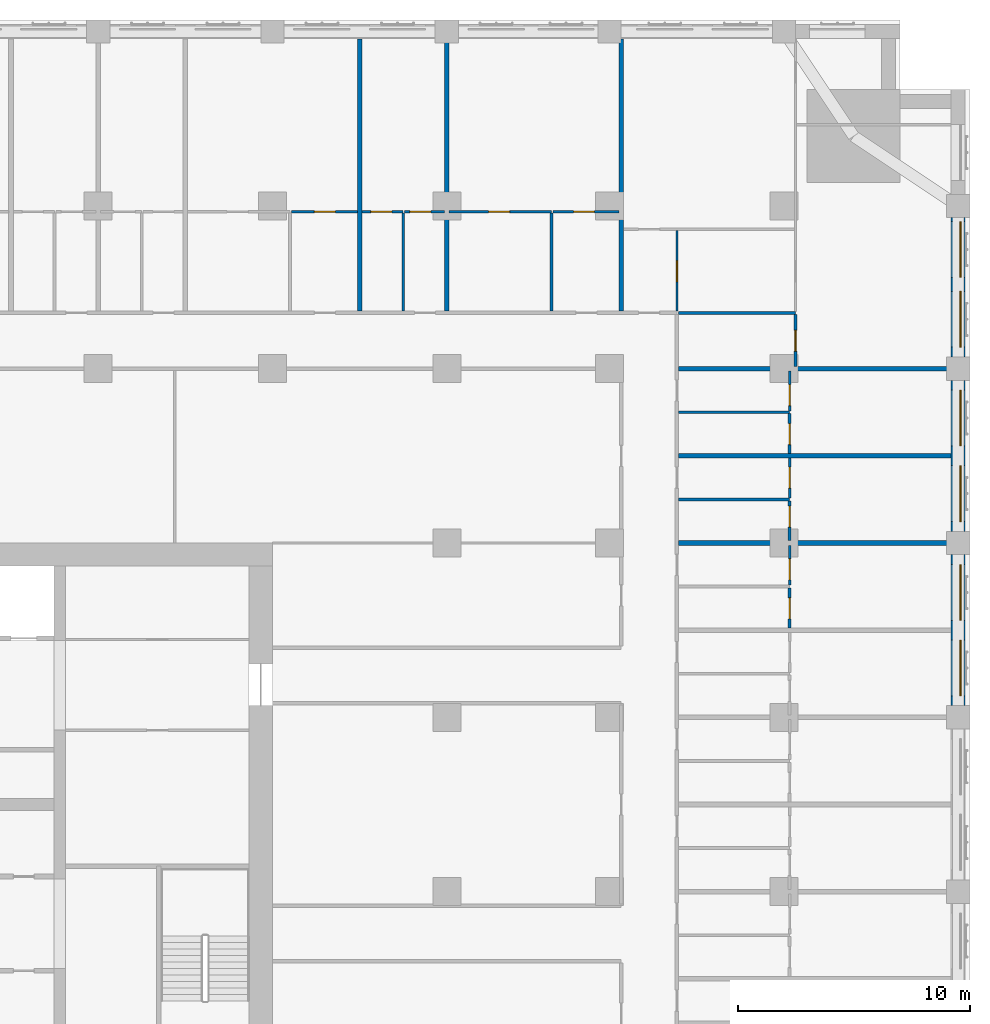
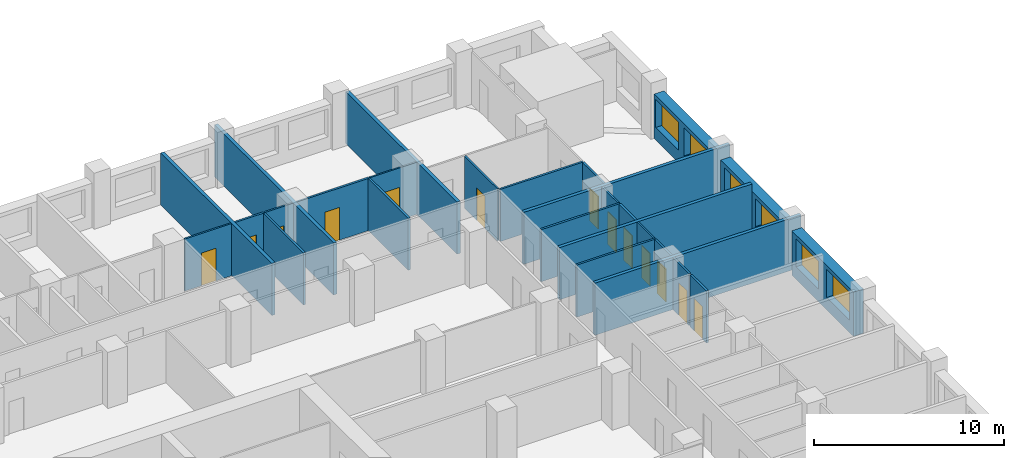
# One storey, part 11 of 15: 27 walls, 13 doors, 6 windows, 19 openings.
"""IFC4 building model written with IfcOpenShell, lengths in metres."""

from ifc_helpers import new_model, si_unit, direction, frame, frame_2d, origin, place, context, subcontext, project, spatial, rectangle, extrude, material, layer, layer_set, type_object, element, fill, save


model = new_model("IFC4")

# Units and contexts
model_context = context("Model", 3, precision=1e-05, world=origin(), true_north=direction((0.0, 1.0)))
body_context = subcontext(model_context, "Body", "Model", "MODEL_VIEW")
ifc_project = project(units=[si_unit("LENGTHUNIT", "METRE"), si_unit("AREAUNIT", "SQUARE_METRE"), si_unit("VOLUMEUNIT", "CUBIC_METRE"), si_unit("PLANEANGLEUNIT", "RADIAN"), si_unit("MASSUNIT", "GRAM", prefix="KILO")], contexts=[model_context])

# Site, building, storey
site_placement = place(None, origin())
site = spatial("IfcSite", under=ifc_project, at=site_placement, CompositionType="ELEMENT")
building_placement = place(site_placement, origin())
building = spatial("IfcBuilding", under=site, at=building_placement, Name="Tamorin Gate", CompositionType="ELEMENT")
storey_placement = place(building_placement, frame((0.0, 0.0, 62.800048828125)))
storey = spatial("IfcBuildingStorey", under=building, at=storey_placement, Name="L14", CompositionType="ELEMENT", Elevation=62.800048828125)

# Wall, openings, windows
ifc_material_1 = material(Name="Precast concrete C40/50", Category="concrete")
ifc_layer_1 = layer(ifc_material_1, 0.60009765625)
ifc_layer_set_1 = layer_set([ifc_layer_1], Name="Precast concrete C40/50")
wall_type_1 = type_object("IfcWallType", Name="Board-marked concrete facade panel 600", PredefinedType="SOLIDWALL", material=ifc_layer_set_1)
wall_1_placement = place(storey_placement, frame((89.5, 75.5, 0.0), z_axis=(0.0, 0.0, 1.0), x_axis=(0.0, 1.0, 0.0)))
wall_1 = element("IfcWall", 1, at=wall_1_placement, inside=storey, type_object=wall_type_1, Name="Facade panel", PredefinedType="SOLIDWALL", context=body_context, shape_type="SweptSolid", body=[
    extrude(rectangle(XDim=6.5, YDim=0.60009765625, at=frame_2d((3.25, 0.0))), origin(), (0.0, 0.0, 1.0), 2.849853515625),
])
opening_1_placement = place(wall_1_placement, frame((0.425048828125, 0.0, 0.800048828125)))
opening_1 = element("IfcOpeningElement", 2, at=opening_1_placement, cuts=wall_1, Name="Opening WN1", PredefinedType="OPENING", context=body_context, shape_type="SweptSolid", body=[
    extrude(rectangle(XDim=2.39990234375, YDim=1.800048828125, at=frame_2d((1.199951171875, 0.89990234375))), frame((0.0, 0.31005859375, 0.0), z_axis=(0.0, -1.0, 0.0), x_axis=(1.0, 0.0, 0.0)), (0.0, 0.0, 1.0), 0.6201171875),
])
opening_2_placement = place(wall_1_placement, frame((3.675048828125, 0.0, 0.800048828125)))
opening_2 = element("IfcOpeningElement", 3, at=opening_2_placement, cuts=wall_1, Name="Opening WN1", PredefinedType="OPENING", context=body_context, shape_type="SweptSolid", body=[
    extrude(rectangle(XDim=2.39990234375, YDim=1.800048828125, at=frame_2d((1.199951171875, 0.89990234375))), frame((0.0, 0.31005859375, 0.0), z_axis=(0.0, -1.0, 0.0), x_axis=(1.0, 0.0, 0.0)), (0.0, 0.0, 1.0), 0.6201171875),
])
ifc_material_2 = material(Name="Clear glass in aluminium frame", Category="aluminium")
window_type = type_object("IfcWindowType", Name="Deep-set window 2400x1800", PartitioningType="SINGLE_PANEL", PredefinedType="WINDOW", material=ifc_material_2)
window_1_placement = place(opening_1_placement, origin())
window_1 = element("IfcWindow", 4, at=window_1_placement, inside=storey, type_object=window_type, Name="Deep-set window", OverallHeight=1.800048828125, OverallWidth=2.39990234375, PartitioningType="SINGLE_PANEL", PredefinedType="WINDOW", context=body_context, shape_type="SweptSolid", body=[
    extrude(rectangle(XDim=2.39990234375, YDim=1.800048828125, at=frame_2d((1.199951171875, 0.89990234375))), frame((0.0, -0.070068359375, 0.0), z_axis=(0.0, -1.0, 0.0), x_axis=(1.0, 0.0, 0.0)), (0.0, 0.0, 1.0), 0.06005859375),
])
fill(opening_1, window_1)
window_2_placement = place(opening_2_placement, origin())
window_2 = element("IfcWindow", 5, at=window_2_placement, inside=storey, type_object=window_type, Name="Deep-set window", OverallHeight=1.800048828125, OverallWidth=2.39990234375, PartitioningType="SINGLE_PANEL", PredefinedType="WINDOW", context=body_context, shape_type="SweptSolid", body=[
    extrude(rectangle(XDim=2.39990234375, YDim=1.800048828125, at=frame_2d((1.199951171875, 0.89990234375))), frame((0.0, -0.070068359375, 0.0), z_axis=(0.0, -1.0, 0.0), x_axis=(1.0, 0.0, 0.0)), (0.0, 0.0, 1.0), 0.06005859375),
])
fill(opening_2, window_2)

wall_2_placement = place(storey_placement, frame((89.5, 83.0, 0.0), z_axis=(0.0, 0.0, 1.0), x_axis=(0.0, 1.0, 0.0)))
wall_2 = element("IfcWall", 6, at=wall_2_placement, inside=storey, type_object=wall_type_1, Name="Facade panel", PredefinedType="SOLIDWALL", context=body_context, shape_type="SweptSolid", body=[
    extrude(rectangle(XDim=6.5, YDim=0.60009765625, at=frame_2d((3.25, 0.0))), origin(), (0.0, 0.0, 1.0), 2.849853515625),
])
opening_3_placement = place(wall_2_placement, frame((0.425048828125, 0.0, 0.800048828125)))
opening_3 = element("IfcOpeningElement", 7, at=opening_3_placement, cuts=wall_2, Name="Opening WN1", PredefinedType="OPENING", context=body_context, shape_type="SweptSolid", body=[
    extrude(rectangle(XDim=2.39990234375, YDim=1.800048828125, at=frame_2d((1.199951171875, 0.89990234375))), frame((0.0, 0.31005859375, 0.0), z_axis=(0.0, -1.0, 0.0), x_axis=(1.0, 0.0, 0.0)), (0.0, 0.0, 1.0), 0.6201171875),
])
opening_4_placement = place(wall_2_placement, frame((3.675048828125, 0.0, 0.800048828125)))
opening_4 = element("IfcOpeningElement", 8, at=opening_4_placement, cuts=wall_2, Name="Opening WN1", PredefinedType="OPENING", context=body_context, shape_type="SweptSolid", body=[
    extrude(rectangle(XDim=2.39990234375, YDim=1.800048828125, at=frame_2d((1.199951171875, 0.89990234375))), frame((0.0, 0.31005859375, 0.0), z_axis=(0.0, -1.0, 0.0), x_axis=(1.0, 0.0, 0.0)), (0.0, 0.0, 1.0), 0.6201171875),
])
window_3_placement = place(opening_3_placement, origin())
window_3 = element("IfcWindow", 9, at=window_3_placement, inside=storey, type_object=window_type, Name="Deep-set window", OverallHeight=1.800048828125, OverallWidth=2.39990234375, PartitioningType="SINGLE_PANEL", PredefinedType="WINDOW", context=body_context, shape_type="SweptSolid", body=[
    extrude(rectangle(XDim=2.39990234375, YDim=1.800048828125, at=frame_2d((1.199951171875, 0.89990234375))), frame((0.0, -0.070068359375, 0.0), z_axis=(0.0, -1.0, 0.0), x_axis=(1.0, 0.0, 0.0)), (0.0, 0.0, 1.0), 0.06005859375),
])
fill(opening_3, window_3)
window_4_placement = place(opening_4_placement, origin())
window_4 = element("IfcWindow", 10, at=window_4_placement, inside=storey, type_object=window_type, Name="Deep-set window", OverallHeight=1.800048828125, OverallWidth=2.39990234375, PartitioningType="SINGLE_PANEL", PredefinedType="WINDOW", context=body_context, shape_type="SweptSolid", body=[
    extrude(rectangle(XDim=2.39990234375, YDim=1.800048828125, at=frame_2d((1.199951171875, 0.89990234375))), frame((0.0, -0.070068359375, 0.0), z_axis=(0.0, -1.0, 0.0), x_axis=(1.0, 0.0, 0.0)), (0.0, 0.0, 1.0), 0.06005859375),
])
fill(opening_4, window_4)

wall_3_placement = place(storey_placement, frame((89.5, 90.5, 0.0), z_axis=(0.0, 0.0, 1.0), x_axis=(0.0, 1.0, 0.0)))
wall_3 = element("IfcWall", 11, at=wall_3_placement, inside=storey, type_object=wall_type_1, Name="Facade panel", PredefinedType="SOLIDWALL", context=body_context, shape_type="SweptSolid", body=[
    extrude(rectangle(XDim=6.0, YDim=0.60009765625, at=frame_2d((3.0, 0.0))), origin(), (0.0, 0.0, 1.0), 2.849853515625),
])
opening_5_placement = place(wall_3_placement, frame((0.425048828125, 0.0, 0.800048828125)))
opening_5 = element("IfcOpeningElement", 12, at=opening_5_placement, cuts=wall_3, Name="Opening WN1", PredefinedType="OPENING", context=body_context, shape_type="SweptSolid", body=[
    extrude(rectangle(XDim=2.39990234375, YDim=1.800048828125, at=frame_2d((1.199951171875, 0.89990234375))), frame((0.0, 0.31005859375, 0.0), z_axis=(0.0, -1.0, 0.0), x_axis=(1.0, 0.0, 0.0)), (0.0, 0.0, 1.0), 0.6201171875),
])
opening_6_placement = place(wall_3_placement, frame((3.425048828125, 0.0, 0.800048828125)))
opening_6 = element("IfcOpeningElement", 13, at=opening_6_placement, cuts=wall_3, Name="Opening WN1", PredefinedType="OPENING", context=body_context, shape_type="SweptSolid", body=[
    extrude(rectangle(XDim=2.39990234375, YDim=1.800048828125, at=frame_2d((1.199951171875, 0.89990234375))), frame((0.0, 0.31005859375, 0.0), z_axis=(0.0, -1.0, 0.0), x_axis=(1.0, 0.0, 0.0)), (0.0, 0.0, 1.0), 0.6201171875),
])
window_5_placement = place(opening_5_placement, origin())
window_5 = element("IfcWindow", 14, at=window_5_placement, inside=storey, type_object=window_type, Name="Deep-set window", OverallHeight=1.800048828125, OverallWidth=2.39990234375, PartitioningType="SINGLE_PANEL", PredefinedType="WINDOW", context=body_context, shape_type="SweptSolid", body=[
    extrude(rectangle(XDim=2.39990234375, YDim=1.800048828125, at=frame_2d((1.199951171875, 0.89990234375))), frame((0.0, -0.070068359375, 0.0), z_axis=(0.0, -1.0, 0.0), x_axis=(1.0, 0.0, 0.0)), (0.0, 0.0, 1.0), 0.06005859375),
])
fill(opening_5, window_5)
window_6_placement = place(opening_6_placement, origin())
window_6 = element("IfcWindow", 15, at=window_6_placement, inside=storey, type_object=window_type, Name="Deep-set window", OverallHeight=1.800048828125, OverallWidth=2.39990234375, PartitioningType="SINGLE_PANEL", PredefinedType="WINDOW", context=body_context, shape_type="SweptSolid", body=[
    extrude(rectangle(XDim=2.39990234375, YDim=1.800048828125, at=frame_2d((1.199951171875, 0.89990234375))), frame((0.0, -0.070068359375, 0.0), z_axis=(0.0, -1.0, 0.0), x_axis=(1.0, 0.0, 0.0)), (0.0, 0.0, 1.0), 0.06005859375),
])
fill(opening_6, window_6)

# Walls
ifc_material_3 = material(Name="Gypsum board partition")
ifc_layer_2 = layer(ifc_material_3, 0.199951171875)
ifc_layer_set_2 = layer_set([ifc_layer_2], Name="Demising wall 200")
wall_type_2 = type_object("IfcWallType", Name="Demising wall 200", PredefinedType="PARTITIONING", material=ifc_layer_set_2)
wall_4_placement = place(storey_placement, frame((77.47509765625, 82.5, 0.0), z_axis=(0.0, 0.0, 1.0), x_axis=(1.0, 0.0, 0.0)))
element("IfcWall", 16, at=wall_4_placement, inside=storey, type_object=wall_type_2, Name="Demising wall 200", PredefinedType="PARTITIONING", context=body_context, shape_type="SweptSolid", body=[
    extrude(rectangle(XDim=12.52490234375, YDim=0.199951171875, at=frame_2d((6.262451171875, 0.0))), origin(), (0.0, 0.0, 1.0), 3.349853515625),
])
wall_5_placement = place(storey_placement, frame((77.47509765625, 86.25, 0.0), z_axis=(0.0, 0.0, 1.0), x_axis=(1.0, 0.0, 0.0)))
element("IfcWall", 17, at=wall_5_placement, inside=storey, type_object=wall_type_2, Name="Demising wall 200", PredefinedType="PARTITIONING", context=body_context, shape_type="SweptSolid", body=[
    extrude(rectangle(XDim=11.71484375, YDim=0.199951171875, at=frame_2d((5.857421875, 0.0))), origin(), (0.0, 0.0, 1.0), 3.349853515625),
])
wall_6_placement = place(storey_placement, frame((77.47509765625, 90.0, 0.0), z_axis=(0.0, 0.0, 1.0), x_axis=(1.0, 0.0, 0.0)))
element("IfcWall", 18, at=wall_6_placement, inside=storey, type_object=wall_type_2, Name="Demising wall 200", PredefinedType="PARTITIONING", context=body_context, shape_type="SweptSolid", body=[
    extrude(rectangle(XDim=12.52490234375, YDim=0.199951171875, at=frame_2d((6.262451171875, 0.0))), origin(), (0.0, 0.0, 1.0), 3.349853515625),
])
wall_7_placement = place(storey_placement, frame((63.75, 92.47509765625, 0.0), z_axis=(0.0, 0.0, 1.0), x_axis=(0.0, 1.0, 0.0)))
element("IfcWall", 19, at=wall_7_placement, inside=storey, type_object=wall_type_2, Name="Demising wall 200", PredefinedType="PARTITIONING", context=body_context, shape_type="SweptSolid", body=[
    extrude(rectangle(XDim=11.71484375, YDim=0.199951171875, at=frame_2d((5.857421875, 0.0))), origin(), (0.0, 0.0, 1.0), 3.349853515625),
])
wall_8_placement = place(storey_placement, frame((67.5, 92.47509765625, 0.0), z_axis=(0.0, 0.0, 1.0), x_axis=(0.0, 1.0, 0.0)))
element("IfcWall", 20, at=wall_8_placement, inside=storey, type_object=wall_type_2, Name="Demising wall 200", PredefinedType="PARTITIONING", context=body_context, shape_type="SweptSolid", body=[
    extrude(rectangle(XDim=12.52490234375, YDim=0.199951171875, at=frame_2d((6.262451171875, 0.0))), origin(), (0.0, 0.0, 1.0), 3.349853515625),
])
wall_9_placement = place(storey_placement, frame((75.0, 92.47509765625, 0.0), z_axis=(0.0, 0.0, 1.0), x_axis=(0.0, 1.0, 0.0)))
element("IfcWall", 21, at=wall_9_placement, inside=storey, type_object=wall_type_2, Name="Demising wall 200", PredefinedType="PARTITIONING", context=body_context, shape_type="SweptSolid", body=[
    extrude(rectangle(XDim=11.71484375, YDim=0.199951171875, at=frame_2d((5.857421875, 0.0))), origin(), (0.0, 0.0, 1.0), 3.349853515625),
])

# Wall, opening, door
ifc_layer_3 = layer(ifc_material_3, 0.10009765625)
ifc_layer_set_3 = layer_set([ifc_layer_3], Name="Room partition 100")
wall_type_3 = type_object("IfcWallType", Name="Room partition 100", PredefinedType="PARTITIONING", material=ifc_layer_set_3)
wall_10_placement = place(storey_placement, frame((60.8125, 96.75, 0.0), z_axis=(0.0, 0.0, 1.0), x_axis=(1.0, 0.0, 0.0)))
wall_10 = element("IfcWall", 22, at=wall_10_placement, inside=storey, type_object=wall_type_3, Name="Room partition 100", PredefinedType="PARTITIONING", context=body_context, shape_type="SweptSolid", body=[
    extrude(rectangle(XDim=2.83740234375, YDim=0.10009765625, at=frame_2d((1.418701171875, 0.0))), origin(), (0.0, 0.0, 1.0), 3.349853515625),
])
opening_7_placement = place(wall_10_placement, frame((0.987548828125, 0.0, 0.0)))
opening_7 = element("IfcOpeningElement", 23, at=opening_7_placement, cuts=wall_10, Name="Opening DH1044", PredefinedType="OPENING", context=body_context, shape_type="SweptSolid", body=[
    extrude(rectangle(XDim=0.89990234375, YDim=2.10009765625, at=frame_2d((0.449951171875, 1.050048828125))), frame((0.0, 0.06005859375, 0.0), z_axis=(0.0, -1.0, 0.0), x_axis=(1.0, 0.0, 0.0)), (0.0, 0.0, 1.0), 0.1201171875),
])
ifc_material_4 = material(Name="Timber door leaf", Category="wood")
door_type = type_object("IfcDoorType", Name="Door 900 x 2100", OperationType="NOTDEFINED", PredefinedType="DOOR", material=ifc_material_4)
door_1_placement = place(opening_7_placement, origin())
door_1 = element("IfcDoor", 24, at=door_1_placement, inside=storey, type_object=door_type, Name="Door DH1044", OperationType="SINGLE_SWING_RIGHT", OverallHeight=2.10009765625, OverallWidth=0.89990234375, PredefinedType="DOOR", context=body_context, shape_type="SweptSolid", body=[
    extrude(rectangle(XDim=0.89990234375, YDim=2.10009765625, at=frame_2d((0.449951171875, 1.050048828125))), frame((0.0, 0.02490234375, 0.0), z_axis=(0.0, -1.0, 0.0), x_axis=(1.0, 0.0, 0.0)), (0.0, 0.0, 1.0), 0.050048828125),
])
fill(opening_7, door_1)

wall_11_placement = place(storey_placement, frame((65.6875, 96.75, 0.0), z_axis=(0.0, 0.0, 1.0), x_axis=(1.0, 0.0, 0.0)))
wall_11 = element("IfcWall", 25, at=wall_11_placement, inside=storey, type_object=wall_type_3, Name="Room partition 100", PredefinedType="PARTITIONING", context=body_context, shape_type="SweptSolid", body=[
    extrude(rectangle(XDim=1.71240234375, YDim=0.10009765625, at=frame_2d((0.856201171875, 0.0))), origin(), (0.0, 0.0, 1.0), 3.349853515625),
])
opening_8_placement = place(wall_11_placement, frame((0.22509765625, 0.0, 0.0)))
opening_8 = element("IfcOpeningElement", 26, at=opening_8_placement, cuts=wall_11, Name="Opening DH1047", PredefinedType="OPENING", context=body_context, shape_type="SweptSolid", body=[
    extrude(rectangle(XDim=0.89990234375, YDim=2.10009765625, at=frame_2d((0.449951171875, 1.050048828125))), frame((0.0, 0.06005859375, 0.0), z_axis=(0.0, -1.0, 0.0), x_axis=(1.0, 0.0, 0.0)), (0.0, 0.0, 1.0), 0.1201171875),
])
door_2_placement = place(opening_8_placement, origin())
door_2 = element("IfcDoor", 27, at=door_2_placement, inside=storey, type_object=door_type, Name="Door DH1047", OperationType="SINGLE_SWING_RIGHT", OverallHeight=2.10009765625, OverallWidth=0.89990234375, PredefinedType="DOOR", context=body_context, shape_type="SweptSolid", body=[
    extrude(rectangle(XDim=0.89990234375, YDim=2.10009765625, at=frame_2d((0.449951171875, 1.050048828125))), frame((0.0, 0.02490234375, 0.0), z_axis=(0.0, -1.0, 0.0), x_axis=(1.0, 0.0, 0.0)), (0.0, 0.0, 1.0), 0.050048828125),
])
fill(opening_8, door_2)

wall_12_placement = place(storey_placement, frame((72.0625, 96.75, 0.0), z_axis=(0.0, 0.0, 1.0), x_axis=(1.0, 0.0, 0.0)))
wall_12 = element("IfcWall", 28, at=wall_12_placement, inside=storey, type_object=wall_type_3, Name="Room partition 100", PredefinedType="PARTITIONING", context=body_context, shape_type="SweptSolid", body=[
    extrude(rectangle(XDim=2.83740234375, YDim=0.10009765625, at=frame_2d((1.418701171875, 0.0))), origin(), (0.0, 0.0, 1.0), 3.349853515625),
])
opening_9_placement = place(wall_12_placement, frame((0.887451171875, 0.0, 0.0)))
opening_9 = element("IfcOpeningElement", 29, at=opening_9_placement, cuts=wall_12, Name="Opening DH1050", PredefinedType="OPENING", context=body_context, shape_type="SweptSolid", body=[
    extrude(rectangle(XDim=0.89990234375, YDim=2.10009765625, at=frame_2d((0.449951171875, 1.050048828125))), frame((0.0, 0.06005859375, 0.0), z_axis=(0.0, -1.0, 0.0), x_axis=(1.0, 0.0, 0.0)), (0.0, 0.0, 1.0), 0.1201171875),
])
door_3_placement = place(opening_9_placement, origin())
door_3 = element("IfcDoor", 30, at=door_3_placement, inside=storey, type_object=door_type, Name="Door DH1050", OperationType="SINGLE_SWING_RIGHT", OverallHeight=2.10009765625, OverallWidth=0.89990234375, PredefinedType="DOOR", context=body_context, shape_type="SweptSolid", body=[
    extrude(rectangle(XDim=0.89990234375, YDim=2.10009765625, at=frame_2d((0.449951171875, 1.050048828125))), frame((0.0, 0.02490234375, 0.0), z_axis=(0.0, -1.0, 0.0), x_axis=(1.0, 0.0, 0.0)), (0.0, 0.0, 1.0), 0.050048828125),
])
fill(opening_9, door_3)

wall_13_placement = place(storey_placement, frame((77.39990234375, 92.47509765625, 0.0), z_axis=(0.0, 0.0, 1.0), x_axis=(0.0, 1.0, 0.0)))
wall_13 = element("IfcWall", 31, at=wall_13_placement, inside=storey, type_object=wall_type_3, Name="Room partition 100", PredefinedType="PARTITIONING", context=body_context, shape_type="SweptSolid", body=[
    extrude(rectangle(XDim=3.474853515625, YDim=0.10009765625, at=frame_2d((1.7373046875, 0.0))), origin(), (0.0, 0.0, 1.0), 3.349853515625),
])
opening_10_placement = place(wall_13_placement, frame((1.27490234375, 0.0, 0.0)))
opening_10 = element("IfcOpeningElement", 32, at=opening_10_placement, cuts=wall_13, Name="Opening DH1089", PredefinedType="OPENING", context=body_context, shape_type="SweptSolid", body=[
    extrude(rectangle(XDim=0.89990234375, YDim=2.10009765625, at=frame_2d((0.449951171875, 1.050048828125))), frame((0.0, 0.06005859375, 0.0), z_axis=(0.0, -1.0, 0.0), x_axis=(1.0, 0.0, 0.0)), (0.0, 0.0, 1.0), 0.1201171875),
])
door_4_placement = place(opening_10_placement, origin())
door_4 = element("IfcDoor", 33, at=door_4_placement, inside=storey, type_object=door_type, Name="Door DH1089", OperationType="SINGLE_SWING_RIGHT", OverallHeight=2.10009765625, OverallWidth=0.89990234375, PredefinedType="DOOR", context=body_context, shape_type="SweptSolid", body=[
    extrude(rectangle(XDim=0.89990234375, YDim=2.10009765625, at=frame_2d((0.449951171875, 1.050048828125))), frame((0.0, 0.02490234375, 0.0), z_axis=(0.0, -1.0, 0.0), x_axis=(1.0, 0.0, 0.0)), (0.0, 0.0, 1.0), 0.050048828125),
])
fill(opening_10, door_4)

wall_14_placement = place(storey_placement, frame((82.25, 80.6875, 0.0), z_axis=(0.0, 0.0, 1.0), x_axis=(0.0, 1.0, 0.0)))
wall_14 = element("IfcWall", 34, at=wall_14_placement, inside=storey, type_object=wall_type_3, Name="Room partition 100", PredefinedType="PARTITIONING", context=body_context, shape_type="SweptSolid", body=[
    extrude(rectangle(XDim=1.71240234375, YDim=0.10009765625, at=frame_2d((0.856201171875, 0.0))), origin(), (0.0, 0.0, 1.0), 3.349853515625),
])
opening_11_placement = place(wall_14_placement, frame((0.22509765625, 0.0, 0.0)))
opening_11 = element("IfcOpeningElement", 35, at=opening_11_placement, cuts=wall_14, Name="Opening DH1074", PredefinedType="OPENING", context=body_context, shape_type="SweptSolid", body=[
    extrude(rectangle(XDim=0.89990234375, YDim=2.10009765625, at=frame_2d((0.449951171875, 1.050048828125))), frame((0.0, 0.06005859375, 0.0), z_axis=(0.0, -1.0, 0.0), x_axis=(1.0, 0.0, 0.0)), (0.0, 0.0, 1.0), 0.1201171875),
])
door_5_placement = place(opening_11_placement, origin())
door_5 = element("IfcDoor", 36, at=door_5_placement, inside=storey, type_object=door_type, Name="Door DH1074", OperationType="SINGLE_SWING_LEFT", OverallHeight=2.10009765625, OverallWidth=0.89990234375, PredefinedType="DOOR", context=body_context, shape_type="SweptSolid", body=[
    extrude(rectangle(XDim=0.89990234375, YDim=2.10009765625, at=frame_2d((0.449951171875, 1.050048828125))), frame((0.0, 0.02490234375, 0.0), z_axis=(0.0, -1.0, 0.0), x_axis=(1.0, 0.0, 0.0)), (0.0, 0.0, 1.0), 0.050048828125),
])
fill(opening_11, door_5)

wall_15_placement = place(storey_placement, frame((82.25, 84.4375, 0.0), z_axis=(0.0, 0.0, 1.0), x_axis=(0.0, 1.0, 0.0)))
wall_15 = element("IfcWall", 37, at=wall_15_placement, inside=storey, type_object=wall_type_3, Name="Room partition 100", PredefinedType="PARTITIONING", context=body_context, shape_type="SweptSolid", body=[
    extrude(rectangle(XDim=1.71240234375, YDim=0.10009765625, at=frame_2d((0.856201171875, 0.0))), origin(), (0.0, 0.0, 1.0), 3.349853515625),
])
opening_12_placement = place(wall_15_placement, frame((0.425048828125, 0.0, 0.0)))
opening_12 = element("IfcOpeningElement", 38, at=opening_12_placement, cuts=wall_15, Name="Opening DH1077", PredefinedType="OPENING", context=body_context, shape_type="SweptSolid", body=[
    extrude(rectangle(XDim=0.89990234375, YDim=2.10009765625, at=frame_2d((0.449951171875, 1.050048828125))), frame((0.0, 0.06005859375, 0.0), z_axis=(0.0, -1.0, 0.0), x_axis=(1.0, 0.0, 0.0)), (0.0, 0.0, 1.0), 0.1201171875),
])
door_6_placement = place(opening_12_placement, origin())
door_6 = element("IfcDoor", 39, at=door_6_placement, inside=storey, type_object=door_type, Name="Door DH1077", OperationType="SINGLE_SWING_LEFT", OverallHeight=2.10009765625, OverallWidth=0.89990234375, PredefinedType="DOOR", context=body_context, shape_type="SweptSolid", body=[
    extrude(rectangle(XDim=0.89990234375, YDim=2.10009765625, at=frame_2d((0.449951171875, 1.050048828125))), frame((0.0, 0.02490234375, 0.0), z_axis=(0.0, -1.0, 0.0), x_axis=(1.0, 0.0, 0.0)), (0.0, 0.0, 1.0), 0.050048828125),
])
fill(opening_12, door_6)

wall_16_placement = place(storey_placement, frame((82.25, 88.1875, 0.0), z_axis=(0.0, 0.0, 1.0), x_axis=(0.0, 1.0, 0.0)))
wall_16 = element("IfcWall", 40, at=wall_16_placement, inside=storey, type_object=wall_type_3, Name="Room partition 100", PredefinedType="PARTITIONING", context=body_context, shape_type="SweptSolid", body=[
    extrude(rectangle(XDim=1.71240234375, YDim=0.10009765625, at=frame_2d((0.856201171875, 0.0))), origin(), (0.0, 0.0, 1.0), 3.349853515625),
])
opening_13_placement = place(wall_16_placement, frame((0.22509765625, 0.0, 0.0)))
opening_13 = element("IfcOpeningElement", 41, at=opening_13_placement, cuts=wall_16, Name="Opening DH1080", PredefinedType="OPENING", context=body_context, shape_type="SweptSolid", body=[
    extrude(rectangle(XDim=0.89990234375, YDim=2.10009765625, at=frame_2d((0.449951171875, 1.050048828125))), frame((0.0, 0.06005859375, 0.0), z_axis=(0.0, -1.0, 0.0), x_axis=(1.0, 0.0, 0.0)), (0.0, 0.0, 1.0), 0.1201171875),
])
door_7_placement = place(opening_13_placement, origin())
door_7 = element("IfcDoor", 42, at=door_7_placement, inside=storey, type_object=door_type, Name="Door DH1080", OperationType="SINGLE_SWING_LEFT", OverallHeight=2.10009765625, OverallWidth=0.89990234375, PredefinedType="DOOR", context=body_context, shape_type="SweptSolid", body=[
    extrude(rectangle(XDim=0.89990234375, YDim=2.10009765625, at=frame_2d((0.449951171875, 1.050048828125))), frame((0.0, 0.02490234375, 0.0), z_axis=(0.0, -1.0, 0.0), x_axis=(1.0, 0.0, 0.0)), (0.0, 0.0, 1.0), 0.050048828125),
])
fill(opening_13, door_7)

# Walls
ifc_layer_4 = layer(ifc_material_3, 0.125)
ifc_layer_set_4 = layer_set([ifc_layer_4], Name="Wet wall 125")
wall_type_4 = type_object("IfcWallType", Name="Wet wall 125", PredefinedType="PARTITIONING", material=ifc_layer_set_4)
for number, where, z_axis, x_axis, name in (
    (43, (77.47509765625, 84.375, 0.0), (0.0, 0.0, 1.0), (1.0, 0.0, 0.0), "Wet wall 125"),
    (44, (77.47509765625, 88.125, 0.0), (0.0, 0.0, 1.0), (1.0, 0.0, 0.0), "Wet wall 125"),
):
    element("IfcWall", number, at=place(storey_placement, frame(where, z_axis=z_axis, x_axis=x_axis)), inside=storey, type_object=wall_type_4, Name=name, PredefinedType="PARTITIONING", context=body_context, shape_type="SweptSolid", body=[
        extrude(rectangle(XDim=4.77490234375, YDim=0.125, at=frame_2d((2.387451171875, 0.0))), origin(), (0.0, 0.0, 1.0), 3.349853515625),
    ])
wall_17_placement = place(storey_placement, frame((77.47509765625, 92.39990234375, 0.0), z_axis=(0.0, 0.0, 1.0), x_axis=(1.0, 0.0, 0.0)))
element("IfcWall", 45, at=wall_17_placement, inside=storey, type_object=wall_type_4, Name="Wet wall 125", PredefinedType="PARTITIONING", context=body_context, shape_type="SweptSolid", body=[
    extrude(rectangle(XDim=5.02490234375, YDim=0.125, at=frame_2d((2.512451171875, 0.0))), origin(), (0.0, 0.0, 1.0), 3.349853515625),
])

# Wall, opening, door
wall_18_placement = place(storey_placement, frame((63.85009765625, 96.75, 0.0), z_axis=(0.0, 0.0, 1.0), x_axis=(1.0, 0.0, 0.0)))
wall_18 = element("IfcWall", 46, at=wall_18_placement, inside=storey, type_object=wall_type_4, Name="Wet wall 125", PredefinedType="PARTITIONING", context=body_context, shape_type="SweptSolid", body=[
    extrude(rectangle(XDim=1.77490234375, YDim=0.125, at=frame_2d((0.887451171875, 0.0))), origin(), (0.0, 0.0, 1.0), 3.349853515625),
])
opening_14_placement = place(wall_18_placement, frame((0.387451171875, 0.0, 0.0)))
opening_14 = element("IfcOpeningElement", 47, at=opening_14_placement, cuts=wall_18, Name="Opening DH1045", PredefinedType="OPENING", context=body_context, shape_type="SweptSolid", body=[
    extrude(rectangle(XDim=0.89990234375, YDim=2.10009765625, at=frame_2d((0.449951171875, 1.050048828125))), frame((0.0, 0.072509765625, 0.0), z_axis=(0.0, -1.0, 0.0), x_axis=(1.0, 0.0, 0.0)), (0.0, 0.0, 1.0), 0.14501953125),
])
door_8_placement = place(opening_14_placement, origin())
door_8 = element("IfcDoor", 48, at=door_8_placement, inside=storey, type_object=door_type, Name="Door DH1045", OperationType="SINGLE_SWING_RIGHT", OverallHeight=2.10009765625, OverallWidth=0.89990234375, PredefinedType="DOOR", context=body_context, shape_type="SweptSolid", body=[
    extrude(rectangle(XDim=0.89990234375, YDim=2.10009765625, at=frame_2d((0.449951171875, 1.050048828125))), frame((0.0, 0.02490234375, 0.0), z_axis=(0.0, -1.0, 0.0), x_axis=(1.0, 0.0, 0.0)), (0.0, 0.0, 1.0), 0.050048828125),
])
fill(opening_14, door_8)

wall_19_placement = place(storey_placement, frame((67.60009765625, 96.75, 0.0), z_axis=(0.0, 0.0, 1.0), x_axis=(1.0, 0.0, 0.0)))
wall_19 = element("IfcWall", 49, at=wall_19_placement, inside=storey, type_object=wall_type_4, Name="Wet wall 125", PredefinedType="PARTITIONING", context=body_context, shape_type="SweptSolid", body=[
    extrude(rectangle(XDim=4.39990234375, YDim=0.125, at=frame_2d((2.199951171875, 0.0))), origin(), (0.0, 0.0, 1.0), 3.349853515625),
])
opening_15_placement = place(wall_19_placement, frame((1.699951171875, 0.0, 0.0)))
opening_15 = element("IfcOpeningElement", 50, at=opening_15_placement, cuts=wall_19, Name="Opening DH1048", PredefinedType="OPENING", context=body_context, shape_type="SweptSolid", body=[
    extrude(rectangle(XDim=0.89990234375, YDim=2.10009765625, at=frame_2d((0.449951171875, 1.050048828125))), frame((0.0, 0.072509765625, 0.0), z_axis=(0.0, -1.0, 0.0), x_axis=(1.0, 0.0, 0.0)), (0.0, 0.0, 1.0), 0.14501953125),
])
door_9_placement = place(opening_15_placement, origin())
door_9 = element("IfcDoor", 51, at=door_9_placement, inside=storey, type_object=door_type, Name="Door DH1048", OperationType="SINGLE_SWING_RIGHT", OverallHeight=2.10009765625, OverallWidth=0.89990234375, PredefinedType="DOOR", context=body_context, shape_type="SweptSolid", body=[
    extrude(rectangle(XDim=0.89990234375, YDim=2.10009765625, at=frame_2d((0.449951171875, 1.050048828125))), frame((0.0, 0.02490234375, 0.0), z_axis=(0.0, -1.0, 0.0), x_axis=(1.0, 0.0, 0.0)), (0.0, 0.0, 1.0), 0.050048828125),
])
fill(opening_15, door_9)

# Walls
for number, where, z_axis, x_axis, name in (
    (52, (65.625, 92.47509765625, 0.0), (0.0, 0.0, 1.0), (0.0, 1.0, 0.0), "Wet wall 125"),
    (53, (72.0, 92.47509765625, 0.0), (0.0, 0.0, 1.0), (0.0, 1.0, 0.0), "Wet wall 125"),
):
    element("IfcWall", number, at=place(storey_placement, frame(where, z_axis=z_axis, x_axis=x_axis)), inside=storey, type_object=wall_type_4, Name=name, PredefinedType="PARTITIONING", context=body_context, shape_type="SweptSolid", body=[
        extrude(rectangle(XDim=4.21240234375, YDim=0.125, at=frame_2d((2.106201171875, 0.0))), origin(), (0.0, 0.0, 1.0), 3.349853515625),
    ])

# Wall, opening, door
wall_20_placement = place(storey_placement, frame((82.25, 78.85009765625, 0.0), z_axis=(0.0, 0.0, 1.0), x_axis=(0.0, 1.0, 0.0)))
wall_20 = element("IfcWall", 54, at=wall_20_placement, inside=storey, type_object=wall_type_4, Name="Wet wall 125", PredefinedType="PARTITIONING", context=body_context, shape_type="SweptSolid", body=[
    extrude(rectangle(XDim=1.71240234375, YDim=0.125, at=frame_2d((0.856201171875, 0.0))), origin(), (0.0, 0.0, 1.0), 3.349853515625),
])
opening_16_placement = place(wall_20_placement, frame((0.387451171875, 0.0, 0.0)))
opening_16 = element("IfcOpeningElement", 55, at=opening_16_placement, cuts=wall_20, Name="Opening DH1072", PredefinedType="OPENING", context=body_context, shape_type="SweptSolid", body=[
    extrude(rectangle(XDim=0.89990234375, YDim=2.10009765625, at=frame_2d((0.449951171875, 1.050048828125))), frame((0.0, 0.072509765625, 0.0), z_axis=(0.0, -1.0, 0.0), x_axis=(1.0, 0.0, 0.0)), (0.0, 0.0, 1.0), 0.14501953125),
])
door_10_placement = place(opening_16_placement, origin())
door_10 = element("IfcDoor", 56, at=door_10_placement, inside=storey, type_object=door_type, Name="Door DH1072", OperationType="SINGLE_SWING_LEFT", OverallHeight=2.10009765625, OverallWidth=0.89990234375, PredefinedType="DOOR", context=body_context, shape_type="SweptSolid", body=[
    extrude(rectangle(XDim=0.89990234375, YDim=2.10009765625, at=frame_2d((0.449951171875, 1.050048828125))), frame((0.0, 0.02490234375, 0.0), z_axis=(0.0, -1.0, 0.0), x_axis=(1.0, 0.0, 0.0)), (0.0, 0.0, 1.0), 0.050048828125),
])
fill(opening_16, door_10)

wall_21_placement = place(storey_placement, frame((82.25, 82.60009765625, 0.0), z_axis=(0.0, 0.0, 1.0), x_axis=(0.0, 1.0, 0.0)))
wall_21 = element("IfcWall", 57, at=wall_21_placement, inside=storey, type_object=wall_type_4, Name="Wet wall 125", PredefinedType="PARTITIONING", context=body_context, shape_type="SweptSolid", body=[
    extrude(rectangle(XDim=1.71240234375, YDim=0.125, at=frame_2d((0.856201171875, 0.0))), origin(), (0.0, 0.0, 1.0), 3.349853515625),
])
opening_17_placement = place(wall_21_placement, frame((0.58740234375, 0.0, 0.0)))
opening_17 = element("IfcOpeningElement", 58, at=opening_17_placement, cuts=wall_21, Name="Opening DH1075", PredefinedType="OPENING", context=body_context, shape_type="SweptSolid", body=[
    extrude(rectangle(XDim=0.89990234375, YDim=2.10009765625, at=frame_2d((0.449951171875, 1.050048828125))), frame((0.0, 0.072509765625, 0.0), z_axis=(0.0, -1.0, 0.0), x_axis=(1.0, 0.0, 0.0)), (0.0, 0.0, 1.0), 0.14501953125),
])
door_11_placement = place(opening_17_placement, origin())
door_11 = element("IfcDoor", 59, at=door_11_placement, inside=storey, type_object=door_type, Name="Door DH1075", OperationType="SINGLE_SWING_RIGHT", OverallHeight=2.10009765625, OverallWidth=0.89990234375, PredefinedType="DOOR", context=body_context, shape_type="SweptSolid", body=[
    extrude(rectangle(XDim=0.89990234375, YDim=2.10009765625, at=frame_2d((0.449951171875, 1.050048828125))), frame((0.0, 0.02490234375, 0.0), z_axis=(0.0, -1.0, 0.0), x_axis=(1.0, 0.0, 0.0)), (0.0, 0.0, 1.0), 0.050048828125),
])
fill(opening_17, door_11)

wall_22_placement = place(storey_placement, frame((82.25, 86.35009765625, 0.0), z_axis=(0.0, 0.0, 1.0), x_axis=(0.0, 1.0, 0.0)))
wall_22 = element("IfcWall", 60, at=wall_22_placement, inside=storey, type_object=wall_type_4, Name="Wet wall 125", PredefinedType="PARTITIONING", context=body_context, shape_type="SweptSolid", body=[
    extrude(rectangle(XDim=1.71240234375, YDim=0.125, at=frame_2d((0.856201171875, 0.0))), origin(), (0.0, 0.0, 1.0), 3.349853515625),
])
opening_18_placement = place(wall_22_placement, frame((0.387451171875, 0.0, 0.0)))
opening_18 = element("IfcOpeningElement", 61, at=opening_18_placement, cuts=wall_22, Name="Opening DH1078", PredefinedType="OPENING", context=body_context, shape_type="SweptSolid", body=[
    extrude(rectangle(XDim=0.89990234375, YDim=2.10009765625, at=frame_2d((0.449951171875, 1.050048828125))), frame((0.0, 0.072509765625, 0.0), z_axis=(0.0, -1.0, 0.0), x_axis=(1.0, 0.0, 0.0)), (0.0, 0.0, 1.0), 0.14501953125),
])
door_12_placement = place(opening_18_placement, origin())
door_12 = element("IfcDoor", 62, at=door_12_placement, inside=storey, type_object=door_type, Name="Door DH1078", OperationType="SINGLE_SWING_LEFT", OverallHeight=2.10009765625, OverallWidth=0.89990234375, PredefinedType="DOOR", context=body_context, shape_type="SweptSolid", body=[
    extrude(rectangle(XDim=0.89990234375, YDim=2.10009765625, at=frame_2d((0.449951171875, 1.050048828125))), frame((0.0, 0.02490234375, 0.0), z_axis=(0.0, -1.0, 0.0), x_axis=(1.0, 0.0, 0.0)), (0.0, 0.0, 1.0), 0.050048828125),
])
fill(opening_18, door_12)

wall_23_placement = place(storey_placement, frame((82.5, 90.10009765625, 0.0), z_axis=(0.0, 0.0, 1.0), x_axis=(0.0, 1.0, 0.0)))
wall_23 = element("IfcWall", 63, at=wall_23_placement, inside=storey, type_object=wall_type_4, Name="Wet wall 125", PredefinedType="PARTITIONING", context=body_context, shape_type="SweptSolid", body=[
    extrude(rectangle(XDim=2.2373046875, YDim=0.125, at=frame_2d((1.11865234375, 0.0))), origin(), (0.0, 0.0, 1.0), 3.349853515625),
])
opening_19_placement = place(wall_23_placement, frame((0.64990234375, 0.0, 0.0)))
opening_19 = element("IfcOpeningElement", 64, at=opening_19_placement, cuts=wall_23, Name="Opening DH1092", PredefinedType="OPENING", context=body_context, shape_type="SweptSolid", body=[
    extrude(rectangle(XDim=0.89990234375, YDim=2.10009765625, at=frame_2d((0.449951171875, 1.050048828125))), frame((0.0, 0.072509765625, 0.0), z_axis=(0.0, -1.0, 0.0), x_axis=(1.0, 0.0, 0.0)), (0.0, 0.0, 1.0), 0.14501953125),
])
door_13_placement = place(opening_19_placement, origin())
door_13 = element("IfcDoor", 65, at=door_13_placement, inside=storey, type_object=door_type, Name="Door DH1092", OperationType="SINGLE_SWING_LEFT", OverallHeight=2.10009765625, OverallWidth=0.89990234375, PredefinedType="DOOR", context=body_context, shape_type="SweptSolid", body=[
    extrude(rectangle(XDim=0.89990234375, YDim=2.10009765625, at=frame_2d((0.449951171875, 1.050048828125))), frame((0.0, 0.02490234375, 0.0), z_axis=(0.0, -1.0, 0.0), x_axis=(1.0, 0.0, 0.0)), (0.0, 0.0, 1.0), 0.050048828125),
])
fill(opening_19, door_13)

save(model, "model.ifc")
